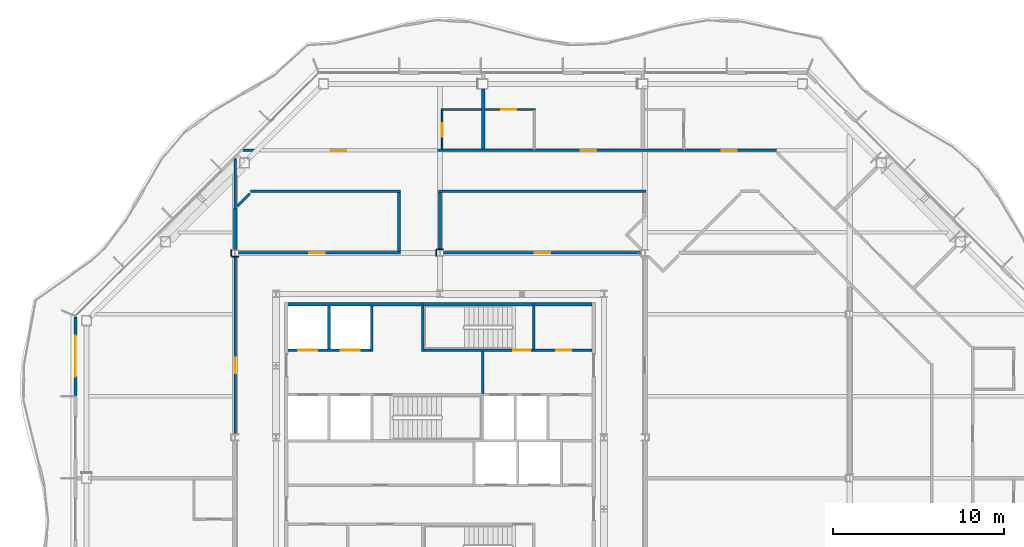
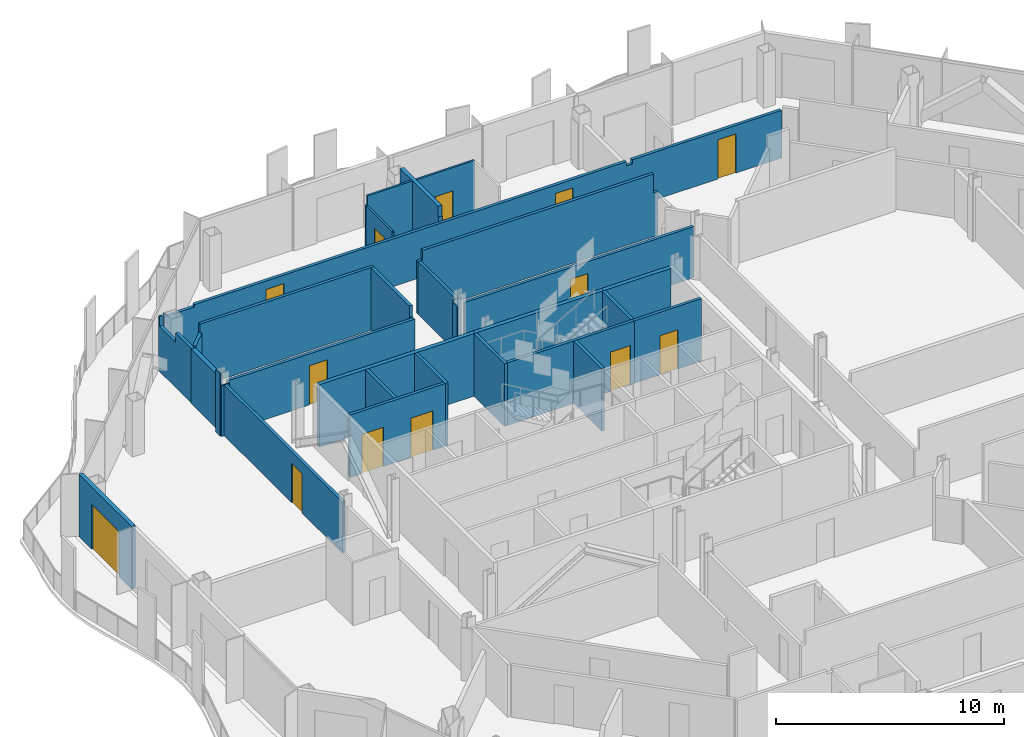
# One storey, part 11 of 19: 31 walls, 13 doors, 13 openings.
"""IFC4 building model written with IfcOpenShell, lengths in metres."""

from ifc_helpers import new_model, si_unit, direction, frame, frame_2d, origin, place, context, subcontext, project, spatial, polyline, rectangle, outline, extrude, material, layer, layer_set, type_object, element, fill, save


model = new_model("IFC4")

# Units and contexts
model_context = context("Model", 3, precision=1e-05, world=origin(), true_north=direction((0.0, 1.0)))
body_context = subcontext(model_context, "Body", "Model", "MODEL_VIEW")
ifc_project = project(units=[si_unit("LENGTHUNIT", "METRE"), si_unit("AREAUNIT", "SQUARE_METRE"), si_unit("VOLUMEUNIT", "CUBIC_METRE"), si_unit("PLANEANGLEUNIT", "RADIAN"), si_unit("MASSUNIT", "GRAM", prefix="KILO")], contexts=[model_context])

# Site, building, storey
site_placement = place(None, origin())
site = spatial("IfcSite", under=ifc_project, at=site_placement, CompositionType="ELEMENT")
building_placement = place(site_placement, origin())
building = spatial("IfcBuilding", under=site, at=building_placement, Name="Cairn Pilgrim Tower", CompositionType="ELEMENT")
storey_placement = place(building_placement, frame((0.0, 0.0, 201.0)))
storey = spatial("IfcBuildingStorey", under=building, at=storey_placement, Name="L51", CompositionType="ELEMENT", Elevation=201.0)

# Wall, opening, door
ifc_material_1 = material(Name="Bronze anodised aluminium insulated sandwich panel with mineral wool fill", Category="aluminium")
ifc_layer_1 = layer(ifc_material_1, 0.199951171875)
ifc_layer_set_1 = layer_set([ifc_layer_1], Name="BRONZE INFILL FRAME WALL 200")
wall_type_1 = type_object("IfcWallType", Name="BRONZE INFILL FRAME WALL 200", PredefinedType="NOTDEFINED", material=ifc_layer_set_1)
wall_1_placement = place(storey_placement, frame((-14.14990234375, 9.45654296875, 0.0), z_axis=(0.0, 0.0, 1.0), x_axis=(0.0, -1.0, 0.0)))
wall_1 = element("IfcWall", 1, at=wall_1_placement, inside=storey, type_object=wall_type_1, Name="Bronze infill frame wall IW-W1", PredefinedType="NOTDEFINED", context=body_context, shape_type="SweptSolid", body=[
    extrude(rectangle(XDim=4.62646484375, YDim=0.199951171875, at=frame_2d((2.313232421875, 0.0))), origin(), (0.0, 0.0, 1.0), 3.35009765625),
])
opening_1_placement = place(wall_1_placement, frame((1.1083984375, 0.0, 0.0)))
opening_1 = element("IfcOpeningElement", 2, at=opening_1_placement, cuts=wall_1, Name="Opening 5110B2", PredefinedType="OPENING", context=body_context, shape_type="SweptSolid", body=[
    extrude(rectangle(XDim=2.39990234375, YDim=2.39990234375, at=frame_2d((1.199951171875, 1.199951171875))), frame((0.0, 0.10986328125, 0.0), z_axis=(0.0, -1.0, 0.0), x_axis=(1.0, 0.0, 0.0)), (0.0, 0.0, 1.0), 0.219970703125),
])
ifc_material_2 = material(Name="Bronze anodised aluminium frame with tinted low-E glass", Category="aluminium")
door_type_1 = type_object("IfcDoorType", Name="BALCONY SLIDING DOOR 2400x2400", OperationType="DOUBLE_DOOR_SLIDING", PredefinedType="DOOR", material=ifc_material_2)
door_1_placement = place(opening_1_placement, origin())
door_1 = element("IfcDoor", 3, at=door_1_placement, inside=storey, type_object=door_type_1, Name="Balcony sliding door 5110B2", OperationType="SINGLE_SWING_LEFT", OverallHeight=2.39990234375, OverallWidth=2.39990234375, PredefinedType="DOOR", context=body_context, shape_type="SweptSolid", body=[
    extrude(rectangle(XDim=2.39990234375, YDim=2.39990234375, at=frame_2d((1.199951171875, 1.199951171875))), frame((0.0, 0.02490234375, 0.0), z_axis=(0.0, -1.0, 0.0), x_axis=(1.0, 0.0, 0.0)), (0.0, 0.0, 1.0), 0.050048828125),
])
fill(opening_1, door_1)

# Walls
ifc_material_3 = material(Name="Concrete C32/40", Category="concrete")
ifc_layer_2 = layer(ifc_material_3, 0.199951171875)
ifc_layer_set_2 = layer_set([ifc_layer_2], Name="CORE OUTER WALL 200 EI 120")
wall_type_2 = type_object("IfcWallType", Name="CORE OUTER WALL 200 EI 120", PredefinedType="SOLIDWALL", material=ifc_layer_set_2)
wall_2_placement = place(storey_placement, frame((-1.699951171875, 10.199951171875, 0.0), z_axis=(0.0, 0.0, 1.0), x_axis=(1.0, 0.0, 0.0)))
element("IfcWall", 4, at=wall_2_placement, inside=storey, type_object=wall_type_2, Name="CW:L51:H12-1", PredefinedType="SOLIDWALL", context=body_context, shape_type="SweptSolid", body=[
    extrude(rectangle(XDim=7.89990234375, YDim=0.199951171875, at=frame_2d((3.949951171875, 0.0))), origin(), (0.0, 0.0, 1.0), 3.35009765625),
])
wall_3_placement = place(storey_placement, frame((12.699951171875, 10.199951171875, 0.0), z_axis=(0.0, 0.0, 1.0), x_axis=(1.0, 0.0, 0.0)))
element("IfcWall", 5, at=wall_3_placement, inside=storey, type_object=wall_type_2, Name="CW:L51:H12-3", PredefinedType="SOLIDWALL", context=body_context, shape_type="SweptSolid", body=[
    extrude(rectangle(XDim=3.400146484375, YDim=0.199951171875, at=frame_2d((1.7001953125, 0.0))), origin(), (0.0, 0.0, 1.0), 3.35009765625),
])

# Wall, openings, doors
ifc_layer_3 = layer(ifc_material_3, 0.14990234375)
ifc_layer_set_3 = layer_set([ifc_layer_3], Name="CORE SHAFT WALL 150 EI 120")
wall_type_3 = type_object("IfcWallType", Name="CORE SHAFT WALL 150 EI 120", PredefinedType="SOLIDWALL", material=ifc_layer_set_3)
wall_4_placement = place(storey_placement, frame((-1.699951171875, 7.5, 0.0), z_axis=(0.0, 0.0, 1.0), x_axis=(1.0, 0.0, 0.0)))
wall_4 = element("IfcWall", 6, at=wall_4_placement, inside=storey, type_object=wall_type_3, Name="CW:L51:H10", PredefinedType="SOLIDWALL", context=body_context, shape_type="SweptSolid", body=[
    extrude(rectangle(XDim=4.824951171875, YDim=0.14990234375, at=frame_2d((2.41259765625, 0.0))), origin(), (0.0, 0.0, 1.0), 3.35009765625),
])
opening_2_placement = place(wall_4_placement, frame((0.60009765625, 0.0, 0.0)))
opening_2 = element("IfcOpeningElement", 7, at=opening_2_placement, cuts=wall_4, Name="Opening LD-HR3", PredefinedType="OPENING", context=body_context, shape_type="SweptSolid", body=[
    extrude(rectangle(XDim=1.10009765625, YDim=2.10009765625, at=frame_2d((0.550048828125, 1.050048828125))), frame((0.0, 0.0849609375, 0.0), z_axis=(0.0, -1.0, 0.0), x_axis=(1.0, 0.0, 0.0)), (0.0, 0.0, 1.0), 0.169921875),
])
opening_3_placement = place(wall_4_placement, frame((3.10009765625, 0.0, 0.0)))
opening_3 = element("IfcOpeningElement", 8, at=opening_3_placement, cuts=wall_4, Name="Opening LD-HR4", PredefinedType="OPENING", context=body_context, shape_type="SweptSolid", body=[
    extrude(rectangle(XDim=1.10009765625, YDim=2.10009765625, at=frame_2d((0.550048828125, 1.050048828125))), frame((0.0, 0.0849609375, 0.0), z_axis=(0.0, -1.0, 0.0), x_axis=(1.0, 0.0, 0.0)), (0.0, 0.0, 1.0), 0.169921875),
])
ifc_material_4 = material(Name="Stainless steel", Category="steel")
door_type_2 = type_object("IfcDoorType", Name="LIFT LANDING DOOR 1100x2100", OperationType="DOUBLE_DOOR_SLIDING", PredefinedType="DOOR", material=ifc_material_4)
door_2_placement = place(opening_2_placement, origin())
door_2 = element("IfcDoor", 9, at=door_2_placement, inside=storey, type_object=door_type_2, Name="LANDING DOOR HR3", OperationType="DOUBLE_DOOR_SLIDING", OverallHeight=2.10009765625, OverallWidth=1.10009765625, PredefinedType="DOOR", context=body_context, shape_type="SweptSolid", body=[
    extrude(rectangle(XDim=1.10009765625, YDim=2.10009765625, at=frame_2d((0.550048828125, 1.050048828125))), frame((0.0, 0.02490234375, 0.0), z_axis=(0.0, -1.0, 0.0), x_axis=(1.0, 0.0, 0.0)), (0.0, 0.0, 1.0), 0.050048828125),
])
fill(opening_2, door_2)
door_3_placement = place(opening_3_placement, origin())
door_3 = element("IfcDoor", 10, at=door_3_placement, inside=storey, type_object=door_type_2, Name="LANDING DOOR HR4", OperationType="DOUBLE_DOOR_SLIDING", OverallHeight=2.10009765625, OverallWidth=1.10009765625, PredefinedType="DOOR", context=body_context, shape_type="SweptSolid", body=[
    extrude(rectangle(XDim=1.10009765625, YDim=2.10009765625, at=frame_2d((0.550048828125, 1.050048828125))), frame((0.0, 0.02490234375, 0.0), z_axis=(0.0, -1.0, 0.0), x_axis=(1.0, 0.0, 0.0)), (0.0, 0.0, 1.0), 0.050048828125),
])
fill(opening_3, door_3)

# Wall, opening, door
wall_5_placement = place(storey_placement, frame((12.699951171875, 7.5, 0.0), z_axis=(0.0, 0.0, 1.0), x_axis=(1.0, 0.0, 0.0)))
wall_5 = element("IfcWall", 11, at=wall_5_placement, inside=storey, type_object=wall_type_3, Name="CW:L51:H11-2", PredefinedType="SOLIDWALL", context=body_context, shape_type="SweptSolid", body=[
    extrude(rectangle(XDim=3.400146484375, YDim=0.14990234375, at=frame_2d((1.7001953125, 0.0))), origin(), (0.0, 0.0, 1.0), 3.35009765625),
])
opening_4_placement = place(wall_5_placement, frame((1.300048828125, 0.0, 0.0)))
opening_4 = element("IfcOpeningElement", 12, at=opening_4_placement, cuts=wall_5, Name="Opening RD-R4E", PredefinedType="OPENING", context=body_context, shape_type="SweptSolid", body=[
    extrude(rectangle(XDim=0.89990234375, YDim=2.10009765625, at=frame_2d((0.449951171875, 1.050048828125))), frame((0.0, 0.0849609375, 0.0), z_axis=(0.0, -1.0, 0.0), x_axis=(1.0, 0.0, 0.0)), (0.0, 0.0, 1.0), 0.169921875),
])
ifc_material_5 = material(Name="Painted steel", Category="steel")
door_type_3 = type_object("IfcDoorType", Name="SERVICE ROOM DOOR 900x2100", OperationType="SINGLE_SWING_LEFT", PredefinedType="DOOR", material=ifc_material_5)
door_4_placement = place(opening_4_placement, origin())
door_4 = element("IfcDoor", 13, at=door_4_placement, inside=storey, type_object=door_type_3, Name="RD-R4E", OperationType="SINGLE_SWING_LEFT", OverallHeight=2.10009765625, OverallWidth=0.89990234375, PredefinedType="DOOR", context=body_context, shape_type="SweptSolid", body=[
    extrude(rectangle(XDim=0.89990234375, YDim=2.10009765625, at=frame_2d((0.449951171875, 1.050048828125))), frame((0.0, 0.02490234375, 0.0), z_axis=(0.0, -1.0, 0.0), x_axis=(1.0, 0.0, 0.0)), (0.0, 0.0, 1.0), 0.050048828125),
])
fill(opening_4, door_4)

# Walls
wall_6_placement = place(storey_placement, frame((0.699951171875, 7.574951171875, 0.0), z_axis=(0.0, 0.0, 1.0), x_axis=(0.0, 1.0, 0.0)))
element("IfcWall", 14, at=wall_6_placement, inside=storey, type_object=wall_type_3, Name="CW:L51:V15", PredefinedType="SOLIDWALL", context=body_context, shape_type="SweptSolid", body=[
    extrude(rectangle(XDim=2.525146484375, YDim=0.14990234375, at=frame_2d((1.2626953125, 0.0))), origin(), (0.0, 0.0, 1.0), 3.35009765625),
])
wall_7_placement = place(storey_placement, frame((3.199951171875, 7.425048828125, 0.0), z_axis=(0.0, 0.0, 1.0), x_axis=(0.0, 1.0, 0.0)))
element("IfcWall", 15, at=wall_7_placement, inside=storey, type_object=wall_type_3, Name="CW:L51:V18", PredefinedType="SOLIDWALL", context=body_context, shape_type="SweptSolid", body=[
    extrude(rectangle(XDim=2.675048828125, YDim=0.14990234375, at=frame_2d((1.33740234375, 0.0))), origin(), (0.0, 0.0, 1.0), 3.35009765625),
])
wall_8_placement = place(storey_placement, frame((9.699951171875, 4.97509765625, 0.0), z_axis=(0.0, 0.0, 1.0), x_axis=(0.0, 1.0, 0.0)))
element("IfcWall", 16, at=wall_8_placement, inside=storey, type_object=wall_type_3, Name="CW:L51:V23", PredefinedType="SOLIDWALL", context=body_context, shape_type="SweptSolid", body=[
    extrude(rectangle(XDim=2.449951171875, YDim=0.14990234375, at=frame_2d((1.22509765625, 0.0))), origin(), (0.0, 0.0, 1.0), 3.35009765625),
])

# Wall, opening, door
ifc_material_6 = material(Name="Gypsum partition")
ifc_layer_4 = layer(ifc_material_6, 0.10009765625)
ifc_layer_set_4 = layer_set([ifc_layer_4], Name="PARTITION 100 DRYWALL")
wall_type_4 = type_object("IfcWallType", Name="PARTITION 100 DRYWALL", PredefinedType="PARTITIONING", material=ifc_layer_set_4)
wall_9_placement = place(storey_placement, frame((7.323974609375, 19.27490234375, 0.0), z_axis=(0.0, 0.0, 1.0), x_axis=(0.0, 1.0, 0.0)))
wall_9 = element("IfcWall", 17, at=wall_9_placement, inside=storey, type_object=wall_type_4, Name="PARTITION W091", PredefinedType="PARTITIONING", context=body_context, shape_type="SweptSolid", body=[
    extrude(outline(polyline([(0.0, 0.0), (2.275146484375, 0.0), (2.27490234375, 2.830078125), (0.030029296875, 2.830078125), (0.028076171875, 2.780029296875), (0.0, 2.780029296875), (0.0, 0.0)])), frame((0.0, 0.050048828125, 0.0), z_axis=(0.0, -1.0, 0.0), x_axis=(1.0, 0.0, 0.0)), (0.0, 0.0, 1.0), 0.10009765625),
])
opening_5_placement = place(wall_9_placement, frame((0.72509765625, 0.0, 0.0)))
opening_5 = element("IfcOpeningElement", 18, at=opening_5_placement, cuts=wall_9, Name="Opening 5109A", PredefinedType="OPENING", context=body_context, shape_type="SweptSolid", body=[
    extrude(rectangle(XDim=0.800048828125, YDim=2.10009765625, at=frame_2d((0.39990234375, 1.050048828125))), frame((0.0, 0.06005859375, 0.0), z_axis=(0.0, -1.0, 0.0), x_axis=(1.0, 0.0, 0.0)), (0.0, 0.0, 1.0), 0.1201171875),
])
ifc_material_7 = material(Name="Timber door leaf", Category="wood")
door_type_4 = type_object("IfcDoorType", Name="WC DOOR 800x2100", OperationType="NOTDEFINED", PredefinedType="DOOR", material=ifc_material_7)
door_5_placement = place(opening_5_placement, origin())
door_5 = element("IfcDoor", 19, at=door_5_placement, inside=storey, type_object=door_type_4, Name="DOOR 5109A", OperationType="SINGLE_SWING_LEFT", OverallHeight=2.10009765625, OverallWidth=0.800048828125, PredefinedType="DOOR", context=body_context, shape_type="SweptSolid", body=[
    extrude(rectangle(XDim=0.800048828125, YDim=2.10009765625, at=frame_2d((0.39990234375, 1.050048828125))), frame((0.0, 0.02490234375, 0.0), z_axis=(0.0, -1.0, 0.0), x_axis=(1.0, 0.0, 0.0)), (0.0, 0.0, 1.0), 0.050048828125),
])
fill(opening_5, door_5)

# Wall
wall_10_placement = place(storey_placement, frame((7.27392578125, 21.60009765625, 0.0), z_axis=(0.0, 0.0, 1.0), x_axis=(1.0, 0.0, 0.0)))
element("IfcWall", 20, at=wall_10_placement, inside=storey, type_object=wall_type_4, Name="PARTITION W096", PredefinedType="PARTITIONING", context=body_context, shape_type="SweptSolid", body=[
    extrude(outline(polyline([(0.0, 0.0), (2.35009765625, 0.0), (2.35009765625, 3.35009765625), (0.075927734375, 3.35009765625), (0.073974609375, 2.830078125), (0.0, 2.830078125), (0.0, 0.0)])), frame((0.0, 0.050048828125, 0.0), z_axis=(0.0, -1.0, 0.0), x_axis=(1.0, 0.0, 0.0)), (0.0, 0.0, 1.0), 0.10009765625),
])

# Wall, opening, door
wall_11_placement = place(storey_placement, frame((9.823974609375, 21.60009765625, 0.0), z_axis=(0.0, 0.0, 1.0), x_axis=(1.0, 0.0, 0.0)))
wall_11 = element("IfcWall", 21, at=wall_11_placement, inside=storey, type_object=wall_type_4, Name="PARTITION W097", PredefinedType="PARTITIONING", context=body_context, shape_type="SweptSolid", body=[
    extrude(rectangle(XDim=2.949951171875, YDim=0.10009765625, at=frame_2d((1.47509765625, 0.0))), origin(), (0.0, 0.0, 1.0), 3.35009765625),
])
opening_6_placement = place(wall_11_placement, frame((0.949951171875, 0.0, 0.0)))
opening_6 = element("IfcOpeningElement", 22, at=opening_6_placement, cuts=wall_11, Name="Opening 5108A", PredefinedType="OPENING", context=body_context, shape_type="SweptSolid", body=[
    extrude(rectangle(XDim=0.89990234375, YDim=2.10009765625, at=frame_2d((0.449951171875, 1.050048828125))), frame((0.0, 0.06005859375, 0.0), z_axis=(0.0, -1.0, 0.0), x_axis=(1.0, 0.0, 0.0)), (0.0, 0.0, 1.0), 0.1201171875),
])
door_type_5 = type_object("IfcDoorType", Name="WC DOOR 900x2100", OperationType="NOTDEFINED", PredefinedType="DOOR", material=ifc_material_7)
door_6_placement = place(opening_6_placement, origin())
door_6 = element("IfcDoor", 23, at=door_6_placement, inside=storey, type_object=door_type_5, Name="DOOR 5108A", OperationType="SINGLE_SWING_LEFT", OverallHeight=2.10009765625, OverallWidth=0.89990234375, PredefinedType="DOOR", context=body_context, shape_type="SweptSolid", body=[
    extrude(rectangle(XDim=0.89990234375, YDim=2.10009765625, at=frame_2d((0.449951171875, 1.050048828125))), frame((0.0, 0.02490234375, 0.0), z_axis=(0.0, -1.0, 0.0), x_axis=(1.0, 0.0, 0.0)), (0.0, 0.0, 1.0), 0.050048828125),
])
fill(opening_6, door_6)

ifc_layer_5 = layer(ifc_material_6, 0.14990234375)
ifc_layer_set_5 = layer_set([ifc_layer_5], Name="PARTITION 150 DRYWALL EI 60")
wall_type_5 = type_object("IfcWallType", Name="PARTITION 150 DRYWALL EI 60", PredefinedType="PARTITIONING", material=ifc_layer_set_5)
wall_12_placement = place(storey_placement, frame((-4.800048828125, 2.596435546875, 0.0), z_axis=(0.0, 0.0, 1.0), x_axis=(0.0, 1.0, 0.0)))
wall_12 = element("IfcWall", 24, at=wall_12_placement, inside=storey, type_object=wall_type_5, Name="PARTITION W059", PredefinedType="PARTITIONING", context=body_context, shape_type="SweptSolid", body=[
    extrude(rectangle(XDim=10.406982421875, YDim=0.14990234375, at=frame_2d((5.20361328125, 0.0))), origin(), (0.0, 0.0, 1.0), 2.72998046875),
])
opening_7_placement = place(wall_12_placement, frame((3.553466796875, 0.0, 0.0)))
opening_7 = element("IfcOpeningElement", 25, at=opening_7_placement, cuts=wall_12, Name="Opening 5110", PredefinedType="OPENING", context=body_context, shape_type="SweptSolid", body=[
    extrude(rectangle(XDim=0.89990234375, YDim=2.10009765625, at=frame_2d((0.449951171875, 1.050048828125))), frame((0.0, 0.0849609375, 0.0), z_axis=(0.0, -1.0, 0.0), x_axis=(1.0, 0.0, 0.0)), (0.0, 0.0, 1.0), 0.169921875),
])
door_type_6 = type_object("IfcDoorType", Name="ROOM DOOR 900x2100 FD30S", OperationType="NOTDEFINED", PredefinedType="DOOR", material=ifc_material_7)
door_7_placement = place(opening_7_placement, origin())
door_7 = element("IfcDoor", 26, at=door_7_placement, inside=storey, type_object=door_type_6, Name="DOOR 5110", OperationType="SINGLE_SWING_RIGHT", OverallHeight=2.10009765625, OverallWidth=0.89990234375, PredefinedType="DOOR", context=body_context, shape_type="SweptSolid", body=[
    extrude(rectangle(XDim=0.89990234375, YDim=2.10009765625, at=frame_2d((0.449951171875, 1.050048828125))), frame((0.0, 0.02490234375, 0.0), z_axis=(0.0, -1.0, 0.0), x_axis=(1.0, 0.0, 0.0)), (0.0, 0.0, 1.0), 0.050048828125),
])
fill(opening_7, door_7)

wall_13_placement = place(storey_placement, frame((-4.6005859375, 13.199951171875, 0.0), z_axis=(0.0, 0.0, 1.0), x_axis=(1.0, 0.0, 0.0)))
wall_13 = element("IfcWall", 27, at=wall_13_placement, inside=storey, type_object=wall_type_5, Name="PARTITION W070", PredefinedType="PARTITIONING", context=body_context, shape_type="SweptSolid", body=[
    extrude(rectangle(XDim=9.4755859375, YDim=0.14990234375, at=frame_2d((4.73779296875, 0.0))), origin(), (0.0, 0.0, 1.0), 2.72998046875),
])
opening_8_placement = place(wall_13_placement, frame((4.150390625, 0.0, 0.0)))
opening_8 = element("IfcOpeningElement", 28, at=opening_8_placement, cuts=wall_13, Name="Opening 5123", PredefinedType="OPENING", context=body_context, shape_type="SweptSolid", body=[
    extrude(rectangle(XDim=0.89990234375, YDim=2.10009765625, at=frame_2d((0.449951171875, 1.050048828125))), frame((0.0, 0.0849609375, 0.0), z_axis=(0.0, -1.0, 0.0), x_axis=(1.0, 0.0, 0.0)), (0.0, 0.0, 1.0), 0.169921875),
])
door_type_7 = type_object("IfcDoorType", Name="SERVICE DOOR 900x2100 FD30S", OperationType="NOTDEFINED", PredefinedType="DOOR", material=ifc_material_7)
door_8_placement = place(opening_8_placement, origin())
door_8 = element("IfcDoor", 29, at=door_8_placement, inside=storey, type_object=door_type_7, Name="DOOR 5123", OperationType="SINGLE_SWING_LEFT", OverallHeight=2.10009765625, OverallWidth=0.89990234375, PredefinedType="DOOR", context=body_context, shape_type="SweptSolid", body=[
    extrude(rectangle(XDim=0.89990234375, YDim=2.10009765625, at=frame_2d((0.449951171875, 1.050048828125))), frame((0.0, 0.02490234375, 0.0), z_axis=(0.0, -1.0, 0.0), x_axis=(1.0, 0.0, 0.0)), (0.0, 0.0, 1.0), 0.050048828125),
])
fill(opening_8, door_8)

wall_14_placement = place(storey_placement, frame((7.3994140625, 13.199951171875, 0.0), z_axis=(0.0, 0.0, 1.0), x_axis=(1.0, 0.0, 0.0)))
wall_14 = element("IfcWall", 30, at=wall_14_placement, inside=storey, type_object=wall_type_5, Name="PARTITION W071", PredefinedType="PARTITIONING", context=body_context, shape_type="SweptSolid", body=[
    extrude(rectangle(XDim=11.60107421875, YDim=0.14990234375, at=frame_2d((5.800537109375, 0.0))), origin(), (0.0, 0.0, 1.0), 2.72998046875),
])
opening_9_placement = place(wall_14_placement, frame((5.3505859375, 0.0, 0.0)))
opening_9 = element("IfcOpeningElement", 31, at=opening_9_placement, cuts=wall_14, Name="Opening 5122", PredefinedType="OPENING", context=body_context, shape_type="SweptSolid", body=[
    extrude(rectangle(XDim=0.89990234375, YDim=2.10009765625, at=frame_2d((0.449951171875, 1.050048828125))), frame((0.0, 0.0849609375, 0.0), z_axis=(0.0, -1.0, 0.0), x_axis=(1.0, 0.0, 0.0)), (0.0, 0.0, 1.0), 0.169921875),
])
door_9_placement = place(opening_9_placement, origin())
door_9 = element("IfcDoor", 32, at=door_9_placement, inside=storey, type_object=door_type_7, Name="DOOR 5122", OperationType="SINGLE_SWING_LEFT", OverallHeight=2.10009765625, OverallWidth=0.89990234375, PredefinedType="DOOR", context=body_context, shape_type="SweptSolid", body=[
    extrude(rectangle(XDim=0.89990234375, YDim=2.10009765625, at=frame_2d((0.449951171875, 1.050048828125))), frame((0.0, 0.02490234375, 0.0), z_axis=(0.0, -1.0, 0.0), x_axis=(1.0, 0.0, 0.0)), (0.0, 0.0, 1.0), 0.050048828125),
])
fill(opening_9, door_9)

# Walls
wall_15_placement = place(storey_placement, frame((4.800048828125, 13.27490234375, 0.0), z_axis=(0.0, 0.0, 1.0), x_axis=(0.0, 1.0, 0.0)))
element("IfcWall", 33, at=wall_15_placement, inside=storey, type_object=wall_type_5, Name="PARTITION W073", PredefinedType="PARTITIONING", context=body_context, shape_type="SweptSolid", body=[
    extrude(outline(polyline([(0.0, 0.0), (3.4501953125, 0.0), (3.449951171875, 3.35009765625), (0.074951171875, 3.35009765625), (0.072998046875, 2.72998046875), (0.0, 2.72998046875), (0.0, 0.0)])), frame((0.0, 0.074951171875, 0.0), z_axis=(0.0, -1.0, 0.0), x_axis=(1.0, 0.0, 0.0)), (0.0, 0.0, 1.0), 0.14990234375),
])
wall_16_placement = place(storey_placement, frame((7.199951171875, 13.396484375, 0.0), z_axis=(0.0, 0.0, 1.0), x_axis=(0.0, 1.0, 0.0)))
element("IfcWall", 34, at=wall_16_placement, inside=storey, type_object=wall_type_5, Name="PARTITION W075", PredefinedType="PARTITIONING", context=body_context, shape_type="SweptSolid", body=[
    extrude(rectangle(XDim=3.32861328125, YDim=0.14990234375, at=frame_2d((1.664306640625, 0.0))), origin(), (0.0, 0.0, 1.0), 2.830078125),
])
wall_17_placement = place(storey_placement, frame((-4.800048828125, 15.805908203125, 0.0), z_axis=(0.0, 0.0, 1.0), x_axis=(0.0, 1.0, 0.0)))
element("IfcWall", 35, at=wall_17_placement, inside=storey, type_object=wall_type_5, Name="PARTITION W082", PredefinedType="PARTITIONING", context=body_context, shape_type="SweptSolid", body=[
    extrude(outline(polyline([(0.0, 0.0), (2.920166015625, 0.0), (2.920166015625, 2.929931640625), (2.83251953125, 2.929931640625), (2.83056640625, 2.429931640625), (1.409912109375, 2.429931640625), (1.40771484375, 2.929931640625), (0.0, 2.929931640625), (0.0, 0.0)])), frame((0.0, 0.074951171875, 0.0), z_axis=(0.0, -1.0, 0.0), x_axis=(1.0, 0.0, 0.0)), (0.0, 0.0, 1.0), 0.14990234375),
])
wall_18_placement = place(storey_placement, frame((-4.672119140625, 15.93408203125, 0.0), z_axis=(0.0, 0.0, 1.0), x_axis=(0.707106781187, 0.707106781187, 0.0)))
element("IfcWall", 36, at=wall_18_placement, inside=storey, type_object=wall_type_5, Name="PARTITION W084", PredefinedType="PARTITIONING", context=body_context, shape_type="SweptSolid", body=[
    extrude(rectangle(XDim=1.043701171875, YDim=0.14990234375, at=frame_2d((0.52197265625, 0.0))), origin(), (0.0, 0.0, 1.0), 2.929931640625),
])
wall_19_placement = place(storey_placement, frame((-3.912109375, 16.800048828125, 0.0), z_axis=(0.0, 0.0, 1.0), x_axis=(1.0, 0.0, 0.0)))
element("IfcWall", 37, at=wall_19_placement, inside=storey, type_object=wall_type_5, Name="PARTITION W085", PredefinedType="PARTITIONING", context=body_context, shape_type="SweptSolid", body=[
    extrude(rectangle(XDim=8.787109375, YDim=0.14990234375, at=frame_2d((4.3935546875, 0.0))), origin(), (0.0, 0.0, 1.0), 3.35009765625),
])
wall_20_placement = place(storey_placement, frame((7.125, 16.800048828125, 0.0), z_axis=(0.0, 0.0, 1.0), x_axis=(1.0, 0.0, 0.0)))
element("IfcWall", 38, at=wall_20_placement, inside=storey, type_object=wall_type_5, Name="PARTITION W086", PredefinedType="PARTITIONING", context=body_context, shape_type="SweptSolid", body=[
    extrude(outline(polyline([(0.0, 0.0), (12.14990234375, 0.0), (12.14990234375, 2.322021484375), (11.924072265625, 2.322021484375), (11.922119140625, 3.35009765625), (0.22509765625, 3.35009765625), (0.222900390625, 2.830078125), (0.0, 2.830078125), (0.0, 0.0)])), frame((0.0, 0.074951171875, 0.0), z_axis=(0.0, -1.0, 0.0), x_axis=(1.0, 0.0, 0.0)), (0.0, 0.0, 1.0), 0.14990234375),
])

# Wall, openings, doors
wall_21_placement = place(storey_placement, frame((-4.326171875, 19.199951171875, 0.0), z_axis=(0.0, 0.0, 1.0), x_axis=(1.0, 0.0, 0.0)))
wall_21 = element("IfcWall", 39, at=wall_21_placement, inside=storey, type_object=wall_type_5, Name="PARTITION W090", PredefinedType="PARTITIONING", context=body_context, shape_type="SweptSolid", body=[
    extrude(outline(polyline([(0.0, 0.0), (31.24365234375, 0.0), (31.24365234375, 2.552001953125), (23.677001953125, 2.552001953125), (23.675048828125, 2.322021484375), (23.375, 2.322021484375), (23.373046875, 2.552001953125), (1.51025390625, 2.552001953125), (1.50830078125, 2.429931640625), (0.08740234375, 2.429931640625), (0.08544921875, 2.552001953125), (0.0, 2.552001953125), (0.0, 0.0)])), frame((0.0, 0.074951171875, 0.0), z_axis=(0.0, -1.0, 0.0), x_axis=(1.0, 0.0, 0.0)), (0.0, 0.0, 1.0), 0.14990234375),
])
opening_10_placement = place(wall_21_placement, frame((28.02001953125, 0.0, 0.0)))
opening_10 = element("IfcOpeningElement", 40, at=opening_10_placement, cuts=wall_21, Name="Opening 5107", PredefinedType="OPENING", context=body_context, shape_type="SweptSolid", body=[
    extrude(rectangle(XDim=0.89990234375, YDim=2.10009765625, at=frame_2d((0.449951171875, 1.050048828125))), frame((0.0, 0.0849609375, 0.0), z_axis=(0.0, -1.0, 0.0), x_axis=(1.0, 0.0, 0.0)), (0.0, 0.0, 1.0), 0.169921875),
])
opening_11_placement = place(wall_21_placement, frame((19.776123046875, 0.0, 0.0)))
opening_11 = element("IfcOpeningElement", 41, at=opening_11_placement, cuts=wall_21, Name="Opening 5108", PredefinedType="OPENING", context=body_context, shape_type="SweptSolid", body=[
    extrude(rectangle(XDim=0.89990234375, YDim=2.10009765625, at=frame_2d((0.449951171875, 1.050048828125))), frame((0.0, 0.0849609375, 0.0), z_axis=(0.0, -1.0, 0.0), x_axis=(1.0, 0.0, 0.0)), (0.0, 0.0, 1.0), 0.169921875),
])
opening_12_placement = place(wall_21_placement, frame((5.13818359375, 0.0, 0.0)))
opening_12 = element("IfcOpeningElement", 42, at=opening_12_placement, cuts=wall_21, Name="Opening 5109", PredefinedType="OPENING", context=body_context, shape_type="SweptSolid", body=[
    extrude(rectangle(XDim=0.89990234375, YDim=2.10009765625, at=frame_2d((0.449951171875, 1.050048828125))), frame((0.0, 0.0849609375, 0.0), z_axis=(0.0, -1.0, 0.0), x_axis=(1.0, 0.0, 0.0)), (0.0, 0.0, 1.0), 0.169921875),
])
door_10_placement = place(opening_10_placement, origin())
door_10 = element("IfcDoor", 43, at=door_10_placement, inside=storey, type_object=door_type_6, Name="DOOR 5107", OperationType="SINGLE_SWING_LEFT", OverallHeight=2.10009765625, OverallWidth=0.89990234375, PredefinedType="DOOR", context=body_context, shape_type="SweptSolid", body=[
    extrude(rectangle(XDim=0.89990234375, YDim=2.10009765625, at=frame_2d((0.449951171875, 1.050048828125))), frame((0.0, 0.02490234375, 0.0), z_axis=(0.0, -1.0, 0.0), x_axis=(1.0, 0.0, 0.0)), (0.0, 0.0, 1.0), 0.050048828125),
])
fill(opening_10, door_10)
door_11_placement = place(opening_11_placement, origin())
door_11 = element("IfcDoor", 44, at=door_11_placement, inside=storey, type_object=door_type_6, Name="DOOR 5108", OperationType="SINGLE_SWING_LEFT", OverallHeight=2.10009765625, OverallWidth=0.89990234375, PredefinedType="DOOR", context=body_context, shape_type="SweptSolid", body=[
    extrude(rectangle(XDim=0.89990234375, YDim=2.10009765625, at=frame_2d((0.449951171875, 1.050048828125))), frame((0.0, 0.02490234375, 0.0), z_axis=(0.0, -1.0, 0.0), x_axis=(1.0, 0.0, 0.0)), (0.0, 0.0, 1.0), 0.050048828125),
])
fill(opening_11, door_11)
door_12_placement = place(opening_12_placement, origin())
door_12 = element("IfcDoor", 45, at=door_12_placement, inside=storey, type_object=door_type_6, Name="DOOR 5109", OperationType="SINGLE_SWING_LEFT", OverallHeight=2.10009765625, OverallWidth=0.89990234375, PredefinedType="DOOR", context=body_context, shape_type="SweptSolid", body=[
    extrude(rectangle(XDim=0.89990234375, YDim=2.10009765625, at=frame_2d((0.449951171875, 1.050048828125))), frame((0.0, 0.02490234375, 0.0), z_axis=(0.0, -1.0, 0.0), x_axis=(1.0, 0.0, 0.0)), (0.0, 0.0, 1.0), 0.050048828125),
])
fill(opening_12, door_12)

# Walls
ifc_layer_6 = layer(ifc_material_6, 0.050048828125)
ifc_layer_set_6 = layer_set([ifc_layer_6], Name="PARTITION 50 DRYWALL EI 60")
wall_type_6 = type_object("IfcWallType", Name="PARTITION 50 DRYWALL EI 60", PredefinedType="PARTITIONING", material=ifc_layer_set_6)
wall_22_placement = place(storey_placement, frame((-5.0244140625, 13.00341796875, 0.0), z_axis=(0.0, 0.0, 1.0), x_axis=(0.0, 1.0, 0.0)))
element("IfcWall", 46, at=wall_22_placement, inside=storey, type_object=wall_type_6, Name="COLUMN CASING WC15", PredefinedType="PARTITIONING", context=body_context, shape_type="SweptSolid", body=[
    extrude(rectangle(XDim=0.39306640625, YDim=0.050048828125, at=frame_2d((0.196533203125, 0.0))), origin(), (0.0, 0.0, 1.0), 3.35009765625),
])
wall_23_placement = place(storey_placement, frame((-4.99951171875, 12.978515625, 0.0), z_axis=(0.0, 0.0, 1.0), x_axis=(1.0, 0.0, 0.0)))
element("IfcWall", 47, at=wall_23_placement, inside=storey, type_object=wall_type_6, Name="COLUMN CASING WC30", PredefinedType="PARTITIONING", context=body_context, shape_type="SweptSolid", body=[
    extrude(rectangle(XDim=0.39892578125, YDim=0.050048828125, at=frame_2d((0.199462890625, 0.0))), origin(), (0.0, 0.0, 1.0), 2.72998046875),
])
wall_24_placement = place(storey_placement, frame((7.00048828125, 13.42138671875, 0.0), z_axis=(0.0, 0.0, 1.0), x_axis=(1.0, 0.0, 0.0)))
element("IfcWall", 48, at=wall_24_placement, inside=storey, type_object=wall_type_6, Name="COLUMN CASING WC31", PredefinedType="PARTITIONING", context=body_context, shape_type="SweptSolid", body=[
    extrude(rectangle(XDim=0.39892578125, YDim=0.050048828125, at=frame_2d((0.199462890625, 0.0))), origin(), (0.0, 0.0, 1.0), 2.830078125),
])
wall_25_placement = place(storey_placement, frame((6.9755859375, 13.00341796875, 0.0), z_axis=(0.0, 0.0, 1.0), x_axis=(0.0, 1.0, 0.0)))
element("IfcWall", 49, at=wall_25_placement, inside=storey, type_object=wall_type_6, Name="COLUMN CASING WC33", PredefinedType="PARTITIONING", context=body_context, shape_type="SweptSolid", body=[
    extrude(rectangle(XDim=0.39306640625, YDim=0.050048828125, at=frame_2d((0.196533203125, 0.0))), origin(), (0.0, 0.0, 1.0), 2.72998046875),
])
ifc_layer_7 = layer(ifc_material_6, 0.199951171875)
ifc_layer_set_7 = layer_set([ifc_layer_7], Name="SHAFT WALL 200 GYPSUM EI 60")
wall_type_7 = type_object("IfcWallType", Name="SHAFT WALL 200 GYPSUM EI 60", PredefinedType="PARTITIONING", material=ifc_layer_set_7)
wall_26_placement = place(storey_placement, frame((-4.800048828125, 13.396484375, 0.0), z_axis=(0.0, 0.0, 1.0), x_axis=(0.0, 1.0, 0.0)))
element("IfcWall", 50, at=wall_26_placement, inside=storey, type_object=wall_type_7, Name="PARTITION W074", PredefinedType="PARTITIONING", context=body_context, shape_type="SweptSolid", body=[
    extrude(rectangle(XDim=2.409423828125, YDim=0.199951171875, at=frame_2d((1.20458984375, 0.0))), origin(), (0.0, 0.0, 1.0), 2.929931640625),
])
wall_27_placement = place(storey_placement, frame((9.72412109375, 19.27490234375, 0.0), z_axis=(0.0, 0.0, 1.0), x_axis=(0.0, 1.0, 0.0)))
element("IfcWall", 51, at=wall_27_placement, inside=storey, type_object=wall_type_7, Name="PARTITION W092", PredefinedType="PARTITIONING", context=body_context, shape_type="SweptSolid", body=[
    extrude(outline(polyline([(0.0, 0.0), (3.525146484375, 0.0), (3.52490234375, 2.429931640625), (3.375, 2.429931640625), (3.373046875, 3.35009765625), (0.030029296875, 3.35009765625), (0.028076171875, 2.780029296875), (0.0, 2.780029296875), (0.0, 0.0)])), frame((0.0, 0.10009765625, 0.0), z_axis=(0.0, -1.0, 0.0), x_axis=(1.0, 0.0, 0.0)), (0.0, 0.0, 1.0), 0.199951171875),
])

# Wall, opening, door
ifc_material_8 = material(Name="Concrete C35/45", Category="concrete")
ifc_layer_8 = layer(ifc_material_8, 0.14990234375)
ifc_layer_set_8 = layer_set([ifc_layer_8], Name="STAIR SHAFT WALL 150 EI 120")
wall_type_8 = type_object("IfcWallType", Name="STAIR SHAFT WALL 150 EI 120", PredefinedType="SOLIDWALL", material=ifc_layer_set_8)
wall_28_placement = place(storey_placement, frame((6.27490234375, 7.5, 0.0), z_axis=(0.0, 0.0, 1.0), x_axis=(1.0, 0.0, 0.0)))
wall_28 = element("IfcWall", 52, at=wall_28_placement, inside=storey, type_object=wall_type_8, Name="CW:L51:H11-1", PredefinedType="SOLIDWALL", context=body_context, shape_type="SweptSolid", body=[
    extrude(rectangle(XDim=6.425048828125, YDim=0.14990234375, at=frame_2d((3.21240234375, 0.0))), origin(), (0.0, 0.0, 1.0), 3.35009765625),
])
opening_13_placement = place(wall_28_placement, frame((5.22509765625, 0.0, 0.0)))
opening_13 = element("IfcOpeningElement", 53, at=opening_13_placement, cuts=wall_28, Name="Opening SD-C", PredefinedType="OPENING", context=body_context, shape_type="SweptSolid", body=[
    extrude(rectangle(XDim=1.0, YDim=2.10009765625, at=frame_2d((0.5, 1.050048828125))), frame((0.0, 0.0849609375, 0.0), z_axis=(0.0, -1.0, 0.0), x_axis=(1.0, 0.0, 0.0)), (0.0, 0.0, 1.0), 0.169921875),
])
door_type_8 = type_object("IfcDoorType", Name="STAIR DOOR FD60S 1000x2100", OperationType="SINGLE_SWING_LEFT", PredefinedType="DOOR", material=ifc_material_5)
door_13_placement = place(opening_13_placement, origin())
door_13 = element("IfcDoor", 54, at=door_13_placement, inside=storey, type_object=door_type_8, Name="SD-C", OperationType="SINGLE_SWING_RIGHT", OverallHeight=2.10009765625, OverallWidth=1.0, PredefinedType="DOOR", context=body_context, shape_type="SweptSolid", body=[
    extrude(rectangle(XDim=1.0, YDim=2.10009765625, at=frame_2d((0.5, 1.050048828125))), frame((0.0, 0.02490234375, 0.0), z_axis=(0.0, -1.0, 0.0), x_axis=(1.0, 0.0, 0.0)), (0.0, 0.0, 1.0), 0.050048828125),
])
fill(opening_13, door_13)

# Walls
wall_29_placement = place(storey_placement, frame((6.199951171875, 7.425048828125, 0.0), z_axis=(0.0, 0.0, 1.0), x_axis=(0.0, 1.0, 0.0)))
element("IfcWall", 55, at=wall_29_placement, inside=storey, type_object=wall_type_8, Name="CW:L51:V20", PredefinedType="SOLIDWALL", context=body_context, shape_type="SweptSolid", body=[
    extrude(rectangle(XDim=2.675048828125, YDim=0.14990234375, at=frame_2d((1.33740234375, 0.0))), origin(), (0.0, 0.0, 1.0), 3.35009765625),
])
wall_30_placement = place(storey_placement, frame((12.699951171875, 7.574951171875, 0.0), z_axis=(0.0, 0.0, 1.0), x_axis=(0.0, 1.0, 0.0)))
element("IfcWall", 56, at=wall_30_placement, inside=storey, type_object=wall_type_8, Name="CW:L51:V27", PredefinedType="SOLIDWALL", context=body_context, shape_type="SweptSolid", body=[
    extrude(rectangle(XDim=2.525146484375, YDim=0.14990234375, at=frame_2d((1.2626953125, 0.0))), origin(), (0.0, 0.0, 1.0), 3.35009765625),
])
ifc_layer_9 = layer(ifc_material_8, 0.199951171875)
ifc_layer_set_9 = layer_set([ifc_layer_9], Name="STAIR SHAFT WALL 200 EI 120")
wall_type_9 = type_object("IfcWallType", Name="STAIR SHAFT WALL 200 EI 120", PredefinedType="SOLIDWALL", material=ifc_layer_set_9)
wall_31_placement = place(storey_placement, frame((6.199951171875, 10.199951171875, 0.0), z_axis=(0.0, 0.0, 1.0), x_axis=(1.0, 0.0, 0.0)))
element("IfcWall", 57, at=wall_31_placement, inside=storey, type_object=wall_type_9, Name="CW:L51:H12-2", PredefinedType="SOLIDWALL", context=body_context, shape_type="SweptSolid", body=[
    extrude(rectangle(XDim=6.5, YDim=0.199951171875, at=frame_2d((3.25, 0.0))), origin(), (0.0, 0.0, 1.0), 3.35009765625),
])

save(model, "model.ifc")
